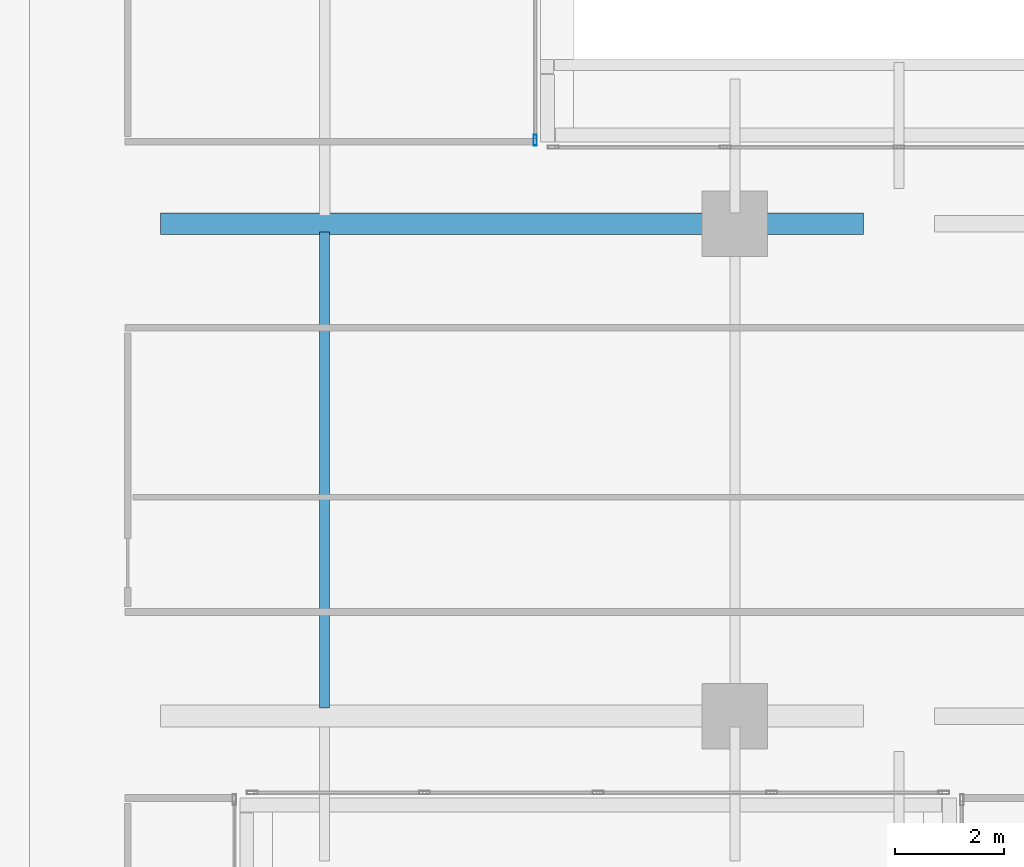
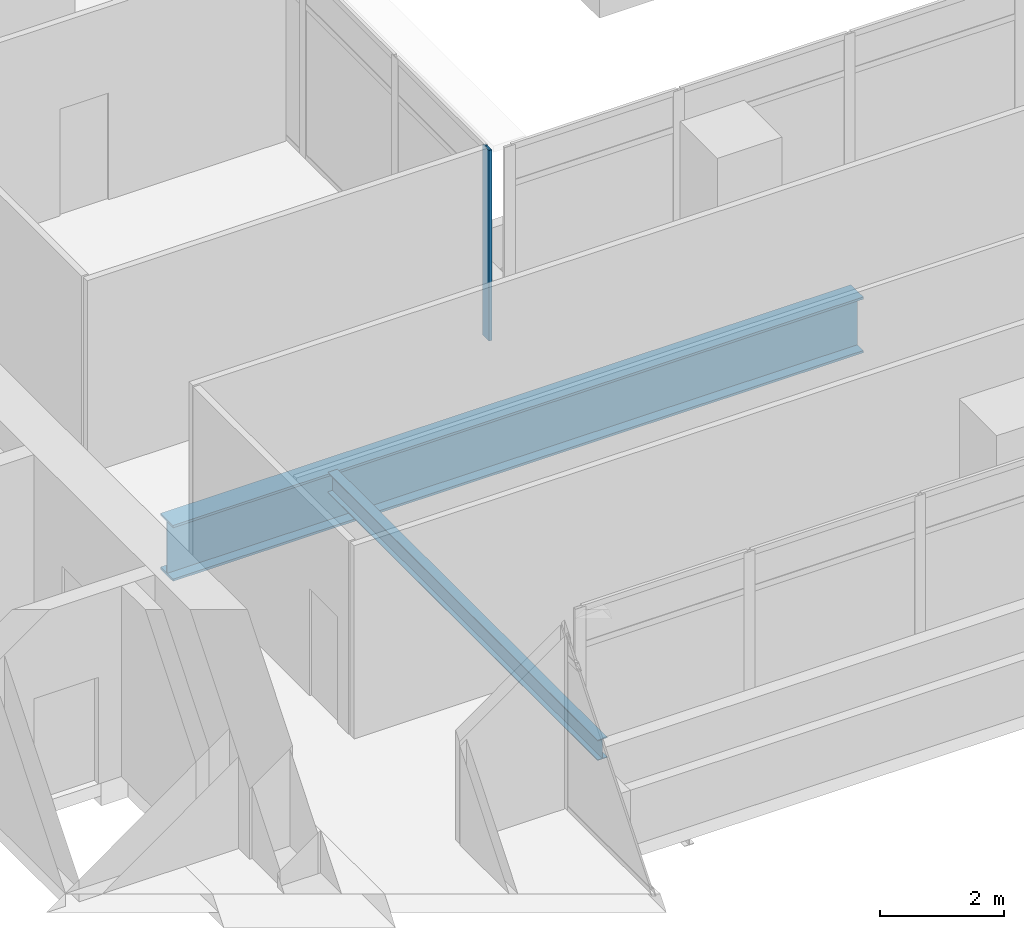
# One storey, part 7 of 43: 2 beams, 1 member, 1 element without a shape of its own.
"""IFC4 building model written with IfcOpenShell, lengths in metres."""

from ifc_helpers import new_model, si_unit, direction, frame, origin, origin_2d, place, context, subcontext, project, spatial, hollow_rectangle, i_section, extrude, source, transform, mapped, material, material_profile, profile_set, type_object, element, aggregate, save


model = new_model("IFC4")

# Units and contexts
model_context = context("Model", 3, precision=1e-05, world=origin(), true_north=direction((0.0, 1.0)))
body_context = subcontext(model_context, "Body", "Model", "MODEL_VIEW")
ifc_project = project(units=[si_unit("LENGTHUNIT", "METRE"), si_unit("AREAUNIT", "SQUARE_METRE"), si_unit("VOLUMEUNIT", "CUBIC_METRE"), si_unit("PLANEANGLEUNIT", "RADIAN"), si_unit("MASSUNIT", "GRAM", prefix="KILO")], contexts=[model_context])

# Site, building, storey
site_placement = place(None, origin())
site = spatial("IfcSite", under=ifc_project, at=site_placement, CompositionType="ELEMENT")
building_placement = place(site_placement, origin())
building = spatial("IfcBuilding", under=site, at=building_placement, Name="Khomas Fold Tower", CompositionType="ELEMENT")
storey_placement = place(building_placement, frame((0.0, 0.0, 164.699951171875)))
storey = spatial("IfcBuildingStorey", under=building, at=storey_placement, Name="L35", CompositionType="ELEMENT", Elevation=164.699951171875)

# Beams
ifc_material_1 = material(Name="Steel S355", Category="steel")
ifc_material_profile_1 = material_profile(ifc_material_1, i_section(OverallWidth=0.179931640625, OverallDepth=0.39990234375, WebThickness=0.008544921875, FlangeThickness=0.013427734375, at=origin_2d()), Name="IPE 400")
ifc_profile_set_1 = profile_set([ifc_material_profile_1], Name="Steel S355")
beam_type_1 = type_object("IfcBeamType", Name="IPE 400 beam JB3", PredefinedType="BEAM", material=ifc_profile_set_1)
shared_shape_1 = source(origin(), body_context, "Body", "SweptSolid", [
    extrude(i_section(OverallWidth=0.179931640625, OverallDepth=0.39990234375, WebThickness=0.008544921875, FlangeThickness=0.013427734375, at=origin_2d()), origin(), (0.0, 0.0, 1.0), 8.7001953125),
])
beam_1_placement = place(storey_placement, frame((27.0, 22.64990234375, -0.449951171875), z_axis=(0.0, 1.0, 0.0), x_axis=(-1.0, 0.0, 0.0)))
element("IfcBeam", 1, at=beam_1_placement, inside=storey, type_object=beam_type_1, Name="JB3", PredefinedType="BEAM", context=body_context, shape_type="MappedRepresentation", body=[
    mapped(shared_shape_1, transform((0.0, 0.0, 0.0))),
])
ifc_material_2 = material(Name="Steel S460M", Category="steel")
ifc_material_profile_2 = material_profile(ifc_material_2, i_section(OverallWidth=0.39990234375, OverallDepth=1.10009765625, WebThickness=0.02197265625, FlangeThickness=0.044921875, at=origin_2d()), Name="PG 1100x400")
ifc_profile_set_2 = profile_set([ifc_material_profile_2], Name="Steel S460M")
beam_type_2 = type_object("IfcBeamType", Name="PG 1100x400 beam TG1", PredefinedType="BEAM", material=ifc_profile_set_2)
shared_shape_2 = source(origin(), body_context, "Body", "SweptSolid", [
    extrude(i_section(OverallWidth=0.39990234375, OverallDepth=1.10009765625, WebThickness=0.02197265625, FlangeThickness=0.044921875, at=origin_2d()), origin(), (0.0, 0.0, 1.0), 12.85009765625),
])
beam_2_placement = place(storey_placement, frame((24.0, 31.5, -0.800048828125), z_axis=(1.0, 0.0, 0.0), x_axis=(0.0, 1.0, 0.0)))
element("IfcBeam", 2, at=beam_2_placement, inside=storey, type_object=beam_type_2, Name="TG1", PredefinedType="BEAM", context=body_context, shape_type="MappedRepresentation", body=[
    mapped(shared_shape_2, transform((0.0, 0.0, 0.0))),
])

# Curtain wall, member
ifc_material_3 = material(Name="Aluminium framed double glazing", Category="aluminium")
curtain_wall_type = type_object("IfcCurtainWallType", Name="Notch glazing GN-CW", PredefinedType="NOTDEFINED", material=ifc_material_3)
curtain_wall_placement = place(storey_placement, origin())
curtain_wall = element("IfcCurtainWall", 3, at=curtain_wall_placement, inside=storey, type_object=curtain_wall_type, Name="Notch glazing run", PredefinedType="NOTDEFINED")
ifc_material_4 = material(Name="Aluminium", Category="aluminium")
ifc_material_profile_3 = material_profile(ifc_material_4, hollow_rectangle(XDim=0.06005859375, YDim=0.199951171875, WallThickness=0.00390625, at=origin_2d()), Name="Notch glazing mullion GN-CW-M")
ifc_profile_set_3 = profile_set([ifc_material_profile_3], Name="Aluminium")
member_type = type_object("IfcMemberType", Name="Notch glazing mullion GN-CW-M", PredefinedType="MULLION", material=ifc_profile_set_3)
shared_shape_3 = source(origin(), body_context, "Body", "SweptSolid", [
    extrude(hollow_rectangle(XDim=0.06005859375, YDim=0.199951171875, WallThickness=0.00390625, at=origin_2d()), origin(), (0.0, 0.0, 1.0), 3.75),
])
member_placement = place(storey_placement, frame((30.85009765625, 33.030029296875, 0.0), z_axis=(0.0, 0.0, 1.0), x_axis=(-1.0, 0.0, 0.0)))
member = element("IfcMember", 4, at=member_placement, type_object=member_type, Name="GN-CW mullion 1", PredefinedType="MULLION", context=body_context, shape_type="MappedRepresentation", body=[
    mapped(shared_shape_3, transform((0.0, 0.0, 0.0))),
])
aggregate(curtain_wall, [member])

save(model, "model.ifc")
